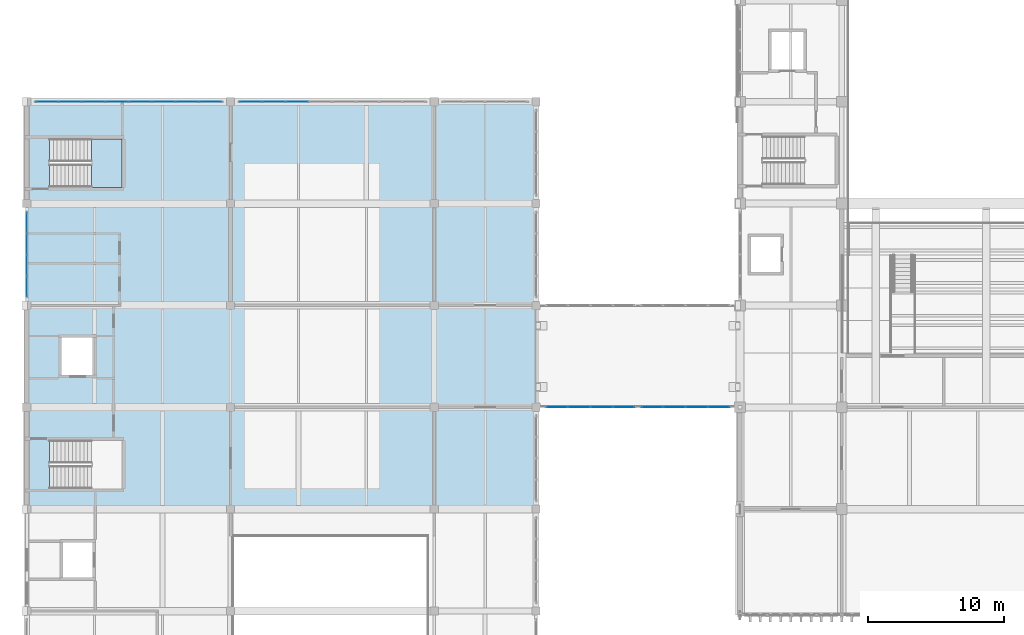
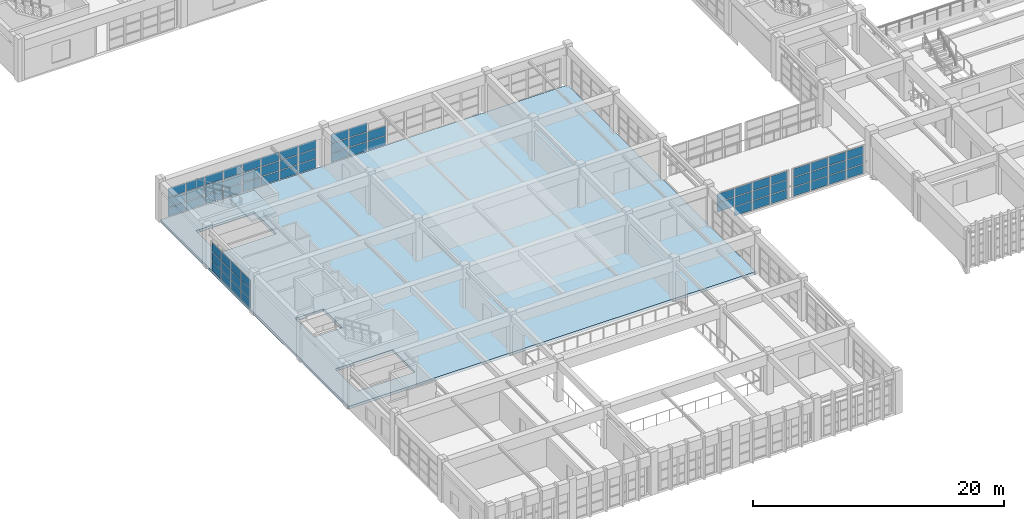
# One storey, part 78 of 124: 67 plates, 2 slabs, 7 elements without a shape of their own.
"""IFC4 building model written with IfcOpenShell, lengths in metres."""

from ifc_helpers import new_model, si_unit, direction, frame, origin, origin_2d, place, context, subcontext, project, spatial, polyline, rectangle, outline, extrude, material, layer, layer_set, type_object, element, aggregate, save


model = new_model("IFC4")

# Units and contexts
model_context = context("Model", 3, precision=1e-05, world=origin(), true_north=direction((0.0, 1.0)))
body_context = subcontext(model_context, "Body", "Model", "MODEL_VIEW")
ifc_project = project(units=[si_unit("LENGTHUNIT", "METRE"), si_unit("AREAUNIT", "SQUARE_METRE"), si_unit("VOLUMEUNIT", "CUBIC_METRE"), si_unit("PLANEANGLEUNIT", "RADIAN"), si_unit("MASSUNIT", "GRAM", prefix="KILO")], contexts=[model_context])

# Site, building, storey
site_placement = place(None, origin())
site = spatial("IfcSite", under=ifc_project, at=site_placement, CompositionType="ELEMENT")
building_placement = place(site_placement, origin())
building = spatial("IfcBuilding", under=site, at=building_placement, Name="Qasida Concert Hall", CompositionType="ELEMENT")
storey_placement = place(building_placement, frame((0.0, 0.0, 9.0)))
storey = spatial("IfcBuildingStorey", under=building, at=storey_placement, Name="L02", CompositionType="ELEMENT", Elevation=9.0)

# Curtain wall, plates
ifc_material_1 = material(Name="Architectural bronze-anodized aluminium and low-E glass", Category="aluminium")
curtain_wall_type = type_object("IfcCurtainWallType", Name="CW-08", PredefinedType="NOTDEFINED", material=ifc_material_1)
curtain_wall_1_placement = place(storey_placement, origin())
curtain_wall_1 = element("IfcCurtainWall", 1, at=curtain_wall_1_placement, inside=storey, type_object=curtain_wall_type, Name="L02 curtain wall CW-08 0100", PredefinedType="NOTDEFINED")
ifc_material_2 = material(Name="Solar-control low-E double glazing", Category="glass")
ifc_layer_1 = layer(ifc_material_2, 0.02392578125, Name="Solar-control low-E double glazing")
ifc_layer_set_1 = layer_set([ifc_layer_1], Name="Solar-control low-E double glazing")
plate_type = type_object("IfcPlateType", Name="PLT-CWP-5", PredefinedType="CURTAIN_PANEL", material=ifc_layer_set_1)
plate_1_placement = place(storey_placement, frame((1.4951171875, 52.5, 0.06005859375), z_axis=(0.0, 0.0, 1.0), x_axis=(1.0, 0.0, 0.0)))
plate_1 = element("IfcPlate", 2, at=plate_1_placement, type_object=plate_type, Name="CW-08 panel 1.1", PredefinedType="CURTAIN_PANEL", context=body_context, shape_type="SweptSolid", body=[
    extrude(rectangle(XDim=1.6201171875, YDim=0.02392578125, at=origin_2d()), origin(), (0.0, 0.0, 1.0), 0.86669921875),
])
plate_2_placement = place(storey_placement, frame((1.4951171875, 52.5, 0.98681640625), z_axis=(0.0, 0.0, 1.0), x_axis=(1.0, 0.0, 0.0)))
plate_2 = element("IfcPlate", 3, at=plate_2_placement, type_object=plate_type, Name="CW-08 panel 1.2", PredefinedType="CURTAIN_PANEL", context=body_context, shape_type="SweptSolid", body=[
    extrude(rectangle(XDim=1.6201171875, YDim=0.02392578125, at=origin_2d()), origin(), (0.0, 0.0, 1.0), 0.896484375),
])
plate_3_placement = place(storey_placement, frame((1.4951171875, 52.5, 1.943359375), z_axis=(0.0, 0.0, 1.0), x_axis=(1.0, 0.0, 0.0)))
plate_3 = element("IfcPlate", 4, at=plate_3_placement, type_object=plate_type, Name="CW-08 panel 1.3", PredefinedType="CURTAIN_PANEL", context=body_context, shape_type="SweptSolid", body=[
    extrude(rectangle(XDim=1.6201171875, YDim=0.02392578125, at=origin_2d()), origin(), (0.0, 0.0, 1.0), 0.86669921875),
])
plate_4_placement = place(storey_placement, frame((3.1962890625, 52.5, 0.06005859375), z_axis=(0.0, 0.0, 1.0), x_axis=(1.0, 0.0, 0.0)))
plate_4 = element("IfcPlate", 5, at=plate_4_placement, type_object=plate_type, Name="CW-08 panel 2.1", PredefinedType="CURTAIN_PANEL", context=body_context, shape_type="SweptSolid", body=[
    extrude(rectangle(XDim=1.652587890625, YDim=0.02392578125, at=origin_2d()), origin(), (0.0, 0.0, 1.0), 0.86669921875),
])
plate_5_placement = place(storey_placement, frame((3.1962890625, 52.5, 0.98681640625), z_axis=(0.0, 0.0, 1.0), x_axis=(1.0, 0.0, 0.0)))
plate_5 = element("IfcPlate", 6, at=plate_5_placement, type_object=plate_type, Name="CW-08 panel 2.2", PredefinedType="CURTAIN_PANEL", context=body_context, shape_type="SweptSolid", body=[
    extrude(rectangle(XDim=1.652587890625, YDim=0.02392578125, at=origin_2d()), origin(), (0.0, 0.0, 1.0), 0.896484375),
])
plate_6_placement = place(storey_placement, frame((3.1962890625, 52.5, 1.943359375), z_axis=(0.0, 0.0, 1.0), x_axis=(1.0, 0.0, 0.0)))
plate_6 = element("IfcPlate", 7, at=plate_6_placement, type_object=plate_type, Name="CW-08 panel 2.3", PredefinedType="CURTAIN_PANEL", context=body_context, shape_type="SweptSolid", body=[
    extrude(rectangle(XDim=1.652587890625, YDim=0.02392578125, at=origin_2d()), origin(), (0.0, 0.0, 1.0), 0.86669921875),
])
plate_7_placement = place(storey_placement, frame((4.913818359375, 52.5, 0.06005859375), z_axis=(0.0, 0.0, 1.0), x_axis=(1.0, 0.0, 0.0)))
plate_7 = element("IfcPlate", 8, at=plate_7_placement, type_object=plate_type, Name="CW-08 panel 3.1", PredefinedType="CURTAIN_PANEL", context=body_context, shape_type="SweptSolid", body=[
    extrude(rectangle(XDim=1.652587890625, YDim=0.02392578125, at=origin_2d()), origin(), (0.0, 0.0, 1.0), 0.86669921875),
])
plate_8_placement = place(storey_placement, frame((4.913818359375, 52.5, 0.98681640625), z_axis=(0.0, 0.0, 1.0), x_axis=(1.0, 0.0, 0.0)))
plate_8 = element("IfcPlate", 9, at=plate_8_placement, type_object=plate_type, Name="CW-08 panel 3.2", PredefinedType="CURTAIN_PANEL", context=body_context, shape_type="SweptSolid", body=[
    extrude(rectangle(XDim=1.652587890625, YDim=0.02392578125, at=origin_2d()), origin(), (0.0, 0.0, 1.0), 0.896484375),
])
plate_9_placement = place(storey_placement, frame((4.913818359375, 52.5, 1.943359375), z_axis=(0.0, 0.0, 1.0), x_axis=(1.0, 0.0, 0.0)))
plate_9 = element("IfcPlate", 10, at=plate_9_placement, type_object=plate_type, Name="CW-08 panel 3.3", PredefinedType="CURTAIN_PANEL", context=body_context, shape_type="SweptSolid", body=[
    extrude(rectangle(XDim=1.652587890625, YDim=0.02392578125, at=origin_2d()), origin(), (0.0, 0.0, 1.0), 0.86669921875),
])
plate_10_placement = place(storey_placement, frame((6.614990234375, 52.5, 0.06005859375), z_axis=(0.0, 0.0, 1.0), x_axis=(1.0, 0.0, 0.0)))
plate_10 = element("IfcPlate", 11, at=plate_10_placement, type_object=plate_type, Name="CW-08 panel 4.1", PredefinedType="CURTAIN_PANEL", context=body_context, shape_type="SweptSolid", body=[
    extrude(rectangle(XDim=1.6201171875, YDim=0.02392578125, at=origin_2d()), origin(), (0.0, 0.0, 1.0), 0.86669921875),
])
plate_11_placement = place(storey_placement, frame((6.614990234375, 52.5, 0.98681640625), z_axis=(0.0, 0.0, 1.0), x_axis=(1.0, 0.0, 0.0)))
plate_11 = element("IfcPlate", 12, at=plate_11_placement, type_object=plate_type, Name="CW-08 panel 4.2", PredefinedType="CURTAIN_PANEL", context=body_context, shape_type="SweptSolid", body=[
    extrude(rectangle(XDim=1.6201171875, YDim=0.02392578125, at=origin_2d()), origin(), (0.0, 0.0, 1.0), 0.896484375),
])
plate_12_placement = place(storey_placement, frame((6.614990234375, 52.5, 1.943359375), z_axis=(0.0, 0.0, 1.0), x_axis=(1.0, 0.0, 0.0)))
plate_12 = element("IfcPlate", 13, at=plate_12_placement, type_object=plate_type, Name="CW-08 panel 4.3", PredefinedType="CURTAIN_PANEL", context=body_context, shape_type="SweptSolid", body=[
    extrude(rectangle(XDim=1.6201171875, YDim=0.02392578125, at=origin_2d()), origin(), (0.0, 0.0, 1.0), 0.86669921875),
])
aggregate(curtain_wall_1, [plate_1, plate_2, plate_3, plate_4, plate_5, plate_6, plate_7, plate_8, plate_9, plate_10, plate_11, plate_12])

curtain_wall_2_placement = place(storey_placement, origin())
curtain_wall_2 = element("IfcCurtainWall", 14, at=curtain_wall_2_placement, inside=storey, type_object=curtain_wall_type, Name="L02 curtain wall CW-08 0102", PredefinedType="NOTDEFINED")
plate_13_placement = place(storey_placement, frame((8.385009765625, 52.5, 0.06005859375), z_axis=(0.0, 0.0, 1.0), x_axis=(1.0, 0.0, 0.0)))
plate_13 = element("IfcPlate", 15, at=plate_13_placement, type_object=plate_type, Name="CW-08 panel 1.1", PredefinedType="CURTAIN_PANEL", context=body_context, shape_type="SweptSolid", body=[
    extrude(rectangle(XDim=1.6201171875, YDim=0.02392578125, at=origin_2d()), origin(), (0.0, 0.0, 1.0), 0.86669921875),
])
plate_14_placement = place(storey_placement, frame((8.385009765625, 52.5, 0.98681640625), z_axis=(0.0, 0.0, 1.0), x_axis=(1.0, 0.0, 0.0)))
plate_14 = element("IfcPlate", 16, at=plate_14_placement, type_object=plate_type, Name="CW-08 panel 1.2", PredefinedType="CURTAIN_PANEL", context=body_context, shape_type="SweptSolid", body=[
    extrude(rectangle(XDim=1.6201171875, YDim=0.02392578125, at=origin_2d()), origin(), (0.0, 0.0, 1.0), 0.896484375),
])
plate_15_placement = place(storey_placement, frame((8.385009765625, 52.5, 1.943359375), z_axis=(0.0, 0.0, 1.0), x_axis=(1.0, 0.0, 0.0)))
plate_15 = element("IfcPlate", 17, at=plate_15_placement, type_object=plate_type, Name="CW-08 panel 1.3", PredefinedType="CURTAIN_PANEL", context=body_context, shape_type="SweptSolid", body=[
    extrude(rectangle(XDim=1.6201171875, YDim=0.02392578125, at=origin_2d()), origin(), (0.0, 0.0, 1.0), 0.86669921875),
])
plate_16_placement = place(storey_placement, frame((10.086181640625, 52.5, 0.06005859375), z_axis=(0.0, 0.0, 1.0), x_axis=(1.0, 0.0, 0.0)))
plate_16 = element("IfcPlate", 18, at=plate_16_placement, type_object=plate_type, Name="CW-08 panel 2.1", PredefinedType="CURTAIN_PANEL", context=body_context, shape_type="SweptSolid", body=[
    extrude(rectangle(XDim=1.652587890625, YDim=0.02392578125, at=origin_2d()), origin(), (0.0, 0.0, 1.0), 0.86669921875),
])
plate_17_placement = place(storey_placement, frame((10.086181640625, 52.5, 0.98681640625), z_axis=(0.0, 0.0, 1.0), x_axis=(1.0, 0.0, 0.0)))
plate_17 = element("IfcPlate", 19, at=plate_17_placement, type_object=plate_type, Name="CW-08 panel 2.2", PredefinedType="CURTAIN_PANEL", context=body_context, shape_type="SweptSolid", body=[
    extrude(rectangle(XDim=1.652587890625, YDim=0.02392578125, at=origin_2d()), origin(), (0.0, 0.0, 1.0), 0.896484375),
])
plate_18_placement = place(storey_placement, frame((10.086181640625, 52.5, 1.943359375), z_axis=(0.0, 0.0, 1.0), x_axis=(1.0, 0.0, 0.0)))
plate_18 = element("IfcPlate", 20, at=plate_18_placement, type_object=plate_type, Name="CW-08 panel 2.3", PredefinedType="CURTAIN_PANEL", context=body_context, shape_type="SweptSolid", body=[
    extrude(rectangle(XDim=1.652587890625, YDim=0.02392578125, at=origin_2d()), origin(), (0.0, 0.0, 1.0), 0.86669921875),
])
plate_19_placement = place(storey_placement, frame((11.8037109375, 52.5, 0.06005859375), z_axis=(0.0, 0.0, 1.0), x_axis=(1.0, 0.0, 0.0)))
plate_19 = element("IfcPlate", 21, at=plate_19_placement, type_object=plate_type, Name="CW-08 panel 3.1", PredefinedType="CURTAIN_PANEL", context=body_context, shape_type="SweptSolid", body=[
    extrude(rectangle(XDim=1.652587890625, YDim=0.02392578125, at=origin_2d()), origin(), (0.0, 0.0, 1.0), 0.86669921875),
])
plate_20_placement = place(storey_placement, frame((11.8037109375, 52.5, 0.98681640625), z_axis=(0.0, 0.0, 1.0), x_axis=(1.0, 0.0, 0.0)))
plate_20 = element("IfcPlate", 22, at=plate_20_placement, type_object=plate_type, Name="CW-08 panel 3.2", PredefinedType="CURTAIN_PANEL", context=body_context, shape_type="SweptSolid", body=[
    extrude(rectangle(XDim=1.652587890625, YDim=0.02392578125, at=origin_2d()), origin(), (0.0, 0.0, 1.0), 0.896484375),
])
plate_21_placement = place(storey_placement, frame((11.8037109375, 52.5, 1.943359375), z_axis=(0.0, 0.0, 1.0), x_axis=(1.0, 0.0, 0.0)))
plate_21 = element("IfcPlate", 23, at=plate_21_placement, type_object=plate_type, Name="CW-08 panel 3.3", PredefinedType="CURTAIN_PANEL", context=body_context, shape_type="SweptSolid", body=[
    extrude(rectangle(XDim=1.652587890625, YDim=0.02392578125, at=origin_2d()), origin(), (0.0, 0.0, 1.0), 0.86669921875),
])
plate_22_placement = place(storey_placement, frame((13.5048828125, 52.5, 0.06005859375), z_axis=(0.0, 0.0, 1.0), x_axis=(1.0, 0.0, 0.0)))
plate_22 = element("IfcPlate", 24, at=plate_22_placement, type_object=plate_type, Name="CW-08 panel 4.1", PredefinedType="CURTAIN_PANEL", context=body_context, shape_type="SweptSolid", body=[
    extrude(rectangle(XDim=1.6201171875, YDim=0.02392578125, at=origin_2d()), origin(), (0.0, 0.0, 1.0), 0.86669921875),
])
plate_23_placement = place(storey_placement, frame((13.5048828125, 52.5, 0.98681640625), z_axis=(0.0, 0.0, 1.0), x_axis=(1.0, 0.0, 0.0)))
plate_23 = element("IfcPlate", 25, at=plate_23_placement, type_object=plate_type, Name="CW-08 panel 4.2", PredefinedType="CURTAIN_PANEL", context=body_context, shape_type="SweptSolid", body=[
    extrude(rectangle(XDim=1.6201171875, YDim=0.02392578125, at=origin_2d()), origin(), (0.0, 0.0, 1.0), 0.896484375),
])
plate_24_placement = place(storey_placement, frame((13.5048828125, 52.5, 1.943359375), z_axis=(0.0, 0.0, 1.0), x_axis=(1.0, 0.0, 0.0)))
plate_24 = element("IfcPlate", 26, at=plate_24_placement, type_object=plate_type, Name="CW-08 panel 4.3", PredefinedType="CURTAIN_PANEL", context=body_context, shape_type="SweptSolid", body=[
    extrude(rectangle(XDim=1.6201171875, YDim=0.02392578125, at=origin_2d()), origin(), (0.0, 0.0, 1.0), 0.86669921875),
])
aggregate(curtain_wall_2, [plate_13, plate_14, plate_15, plate_16, plate_17, plate_18, plate_19, plate_20, plate_21, plate_22, plate_23, plate_24])

curtain_wall_3_placement = place(storey_placement, origin())
curtain_wall_3 = element("IfcCurtainWall", 27, at=curtain_wall_3_placement, inside=storey, type_object=curtain_wall_type, Name="L02 curtain wall CW-08 0104", PredefinedType="NOTDEFINED")
plate_25_placement = place(storey_placement, frame((16.4951171875, 52.5, 0.06005859375), z_axis=(0.0, 0.0, 1.0), x_axis=(1.0, 0.0, 0.0)))
plate_25 = element("IfcPlate", 28, at=plate_25_placement, type_object=plate_type, Name="CW-08 panel 1.1", PredefinedType="CURTAIN_PANEL", context=body_context, shape_type="SweptSolid", body=[
    extrude(rectangle(XDim=1.6201171875, YDim=0.02392578125, at=origin_2d()), origin(), (0.0, 0.0, 1.0), 0.86669921875),
])
plate_26_placement = place(storey_placement, frame((16.4951171875, 52.5, 0.98681640625), z_axis=(0.0, 0.0, 1.0), x_axis=(1.0, 0.0, 0.0)))
plate_26 = element("IfcPlate", 29, at=plate_26_placement, type_object=plate_type, Name="CW-08 panel 1.2", PredefinedType="CURTAIN_PANEL", context=body_context, shape_type="SweptSolid", body=[
    extrude(rectangle(XDim=1.6201171875, YDim=0.02392578125, at=origin_2d()), origin(), (0.0, 0.0, 1.0), 0.896484375),
])
plate_27_placement = place(storey_placement, frame((16.4951171875, 52.5, 1.943359375), z_axis=(0.0, 0.0, 1.0), x_axis=(1.0, 0.0, 0.0)))
plate_27 = element("IfcPlate", 30, at=plate_27_placement, type_object=plate_type, Name="CW-08 panel 1.3", PredefinedType="CURTAIN_PANEL", context=body_context, shape_type="SweptSolid", body=[
    extrude(rectangle(XDim=1.6201171875, YDim=0.02392578125, at=origin_2d()), origin(), (0.0, 0.0, 1.0), 0.86669921875),
])
plate_28_placement = place(storey_placement, frame((18.1962890625, 52.5, 0.06005859375), z_axis=(0.0, 0.0, 1.0), x_axis=(1.0, 0.0, 0.0)))
plate_28 = element("IfcPlate", 31, at=plate_28_placement, type_object=plate_type, Name="CW-08 panel 2.1", PredefinedType="CURTAIN_PANEL", context=body_context, shape_type="SweptSolid", body=[
    extrude(rectangle(XDim=1.652587890625, YDim=0.02392578125, at=origin_2d()), origin(), (0.0, 0.0, 1.0), 0.86669921875),
])
plate_29_placement = place(storey_placement, frame((18.1962890625, 52.5, 0.98681640625), z_axis=(0.0, 0.0, 1.0), x_axis=(1.0, 0.0, 0.0)))
plate_29 = element("IfcPlate", 32, at=plate_29_placement, type_object=plate_type, Name="CW-08 panel 2.2", PredefinedType="CURTAIN_PANEL", context=body_context, shape_type="SweptSolid", body=[
    extrude(rectangle(XDim=1.652587890625, YDim=0.02392578125, at=origin_2d()), origin(), (0.0, 0.0, 1.0), 0.896484375),
])
plate_30_placement = place(storey_placement, frame((18.1962890625, 52.5, 1.943359375), z_axis=(0.0, 0.0, 1.0), x_axis=(1.0, 0.0, 0.0)))
plate_30 = element("IfcPlate", 33, at=plate_30_placement, type_object=plate_type, Name="CW-08 panel 2.3", PredefinedType="CURTAIN_PANEL", context=body_context, shape_type="SweptSolid", body=[
    extrude(rectangle(XDim=1.652587890625, YDim=0.02392578125, at=origin_2d()), origin(), (0.0, 0.0, 1.0), 0.86669921875),
])
plate_31_placement = place(storey_placement, frame((19.913818359375, 52.5, 0.06005859375), z_axis=(0.0, 0.0, 1.0), x_axis=(1.0, 0.0, 0.0)))
plate_31 = element("IfcPlate", 34, at=plate_31_placement, type_object=plate_type, Name="CW-08 panel 3.1", PredefinedType="CURTAIN_PANEL", context=body_context, shape_type="SweptSolid", body=[
    extrude(rectangle(XDim=1.652587890625, YDim=0.02392578125, at=origin_2d()), origin(), (0.0, 0.0, 1.0), 0.86669921875),
])
plate_32_placement = place(storey_placement, frame((19.913818359375, 52.5, 0.98681640625), z_axis=(0.0, 0.0, 1.0), x_axis=(1.0, 0.0, 0.0)))
plate_32 = element("IfcPlate", 35, at=plate_32_placement, type_object=plate_type, Name="CW-08 panel 3.2", PredefinedType="CURTAIN_PANEL", context=body_context, shape_type="SweptSolid", body=[
    extrude(rectangle(XDim=1.652587890625, YDim=0.02392578125, at=origin_2d()), origin(), (0.0, 0.0, 1.0), 0.896484375),
])
aggregate(curtain_wall_3, [plate_25, plate_26, plate_27, plate_28, plate_29, plate_30, plate_31, plate_32])

curtain_wall_4_placement = place(storey_placement, origin())
curtain_wall_4 = element("IfcCurtainWall", 36, at=curtain_wall_4_placement, inside=storey, type_object=curtain_wall_type, Name="L02 curtain wall CW-08 0114", PredefinedType="NOTDEFINED")
plate_33_placement = place(storey_placement, frame((0.0, 38.918701171875, 0.06005859375), z_axis=(0.0, 0.0, 1.0), x_axis=(0.0, 1.0, 0.0)))
plate_33 = element("IfcPlate", 37, at=plate_33_placement, type_object=plate_type, Name="CW-08 panel 1.1", PredefinedType="CURTAIN_PANEL", context=body_context, shape_type="SweptSolid", body=[
    extrude(rectangle(XDim=1.467529296875, YDim=0.02392578125, at=origin_2d()), origin(), (0.0, 0.0, 1.0), 0.86669921875),
])
plate_34_placement = place(storey_placement, frame((0.0, 38.918701171875, 0.98681640625), z_axis=(0.0, 0.0, 1.0), x_axis=(0.0, 1.0, 0.0)))
plate_34 = element("IfcPlate", 38, at=plate_34_placement, type_object=plate_type, Name="CW-08 panel 1.2", PredefinedType="CURTAIN_PANEL", context=body_context, shape_type="SweptSolid", body=[
    extrude(rectangle(XDim=1.467529296875, YDim=0.02392578125, at=origin_2d()), origin(), (0.0, 0.0, 1.0), 0.896484375),
])
plate_35_placement = place(storey_placement, frame((0.0, 38.918701171875, 1.943359375), z_axis=(0.0, 0.0, 1.0), x_axis=(0.0, 1.0, 0.0)))
plate_35 = element("IfcPlate", 39, at=plate_35_placement, type_object=plate_type, Name="CW-08 panel 1.3", PredefinedType="CURTAIN_PANEL", context=body_context, shape_type="SweptSolid", body=[
    extrude(rectangle(XDim=1.467529296875, YDim=0.02392578125, at=origin_2d()), origin(), (0.0, 0.0, 1.0), 0.86669921875),
])
plate_36_placement = place(storey_placement, frame((0.0, 40.467529296875, 0.06005859375), z_axis=(0.0, 0.0, 1.0), x_axis=(0.0, 1.0, 0.0)))
plate_36 = element("IfcPlate", 40, at=plate_36_placement, type_object=plate_type, Name="CW-08 panel 2.1", PredefinedType="CURTAIN_PANEL", context=body_context, shape_type="SweptSolid", body=[
    extrude(rectangle(XDim=1.5, YDim=0.02392578125, at=origin_2d()), origin(), (0.0, 0.0, 1.0), 0.86669921875),
])
plate_37_placement = place(storey_placement, frame((0.0, 40.467529296875, 0.98681640625), z_axis=(0.0, 0.0, 1.0), x_axis=(0.0, 1.0, 0.0)))
plate_37 = element("IfcPlate", 41, at=plate_37_placement, type_object=plate_type, Name="CW-08 panel 2.2", PredefinedType="CURTAIN_PANEL", context=body_context, shape_type="SweptSolid", body=[
    extrude(rectangle(XDim=1.5, YDim=0.02392578125, at=origin_2d()), origin(), (0.0, 0.0, 1.0), 0.896484375),
])
plate_38_placement = place(storey_placement, frame((0.0, 40.467529296875, 1.943359375), z_axis=(0.0, 0.0, 1.0), x_axis=(0.0, 1.0, 0.0)))
plate_38 = element("IfcPlate", 42, at=plate_38_placement, type_object=plate_type, Name="CW-08 panel 2.3", PredefinedType="CURTAIN_PANEL", context=body_context, shape_type="SweptSolid", body=[
    extrude(rectangle(XDim=1.5, YDim=0.02392578125, at=origin_2d()), origin(), (0.0, 0.0, 1.0), 0.86669921875),
])
plate_39_placement = place(storey_placement, frame((0.0, 42.032470703125, 0.06005859375), z_axis=(0.0, 0.0, 1.0), x_axis=(0.0, 1.0, 0.0)))
plate_39 = element("IfcPlate", 43, at=plate_39_placement, type_object=plate_type, Name="CW-08 panel 3.1", PredefinedType="CURTAIN_PANEL", context=body_context, shape_type="SweptSolid", body=[
    extrude(rectangle(XDim=1.5, YDim=0.02392578125, at=origin_2d()), origin(), (0.0, 0.0, 1.0), 0.86669921875),
])
plate_40_placement = place(storey_placement, frame((0.0, 42.032470703125, 0.98681640625), z_axis=(0.0, 0.0, 1.0), x_axis=(0.0, 1.0, 0.0)))
plate_40 = element("IfcPlate", 44, at=plate_40_placement, type_object=plate_type, Name="CW-08 panel 3.2", PredefinedType="CURTAIN_PANEL", context=body_context, shape_type="SweptSolid", body=[
    extrude(rectangle(XDim=1.5, YDim=0.02392578125, at=origin_2d()), origin(), (0.0, 0.0, 1.0), 0.896484375),
])
plate_41_placement = place(storey_placement, frame((0.0, 42.032470703125, 1.943359375), z_axis=(0.0, 0.0, 1.0), x_axis=(0.0, 1.0, 0.0)))
plate_41 = element("IfcPlate", 45, at=plate_41_placement, type_object=plate_type, Name="CW-08 panel 3.3", PredefinedType="CURTAIN_PANEL", context=body_context, shape_type="SweptSolid", body=[
    extrude(rectangle(XDim=1.5, YDim=0.02392578125, at=origin_2d()), origin(), (0.0, 0.0, 1.0), 0.86669921875),
])
plate_42_placement = place(storey_placement, frame((0.0, 43.581298828125, 0.06005859375), z_axis=(0.0, 0.0, 1.0), x_axis=(0.0, 1.0, 0.0)))
plate_42 = element("IfcPlate", 46, at=plate_42_placement, type_object=plate_type, Name="CW-08 panel 4.1", PredefinedType="CURTAIN_PANEL", context=body_context, shape_type="SweptSolid", body=[
    extrude(rectangle(XDim=1.467529296875, YDim=0.02392578125, at=origin_2d()), origin(), (0.0, 0.0, 1.0), 0.86669921875),
])
plate_43_placement = place(storey_placement, frame((0.0, 43.581298828125, 0.98681640625), z_axis=(0.0, 0.0, 1.0), x_axis=(0.0, 1.0, 0.0)))
plate_43 = element("IfcPlate", 47, at=plate_43_placement, type_object=plate_type, Name="CW-08 panel 4.2", PredefinedType="CURTAIN_PANEL", context=body_context, shape_type="SweptSolid", body=[
    extrude(rectangle(XDim=1.467529296875, YDim=0.02392578125, at=origin_2d()), origin(), (0.0, 0.0, 1.0), 0.896484375),
])
plate_44_placement = place(storey_placement, frame((0.0, 43.581298828125, 1.943359375), z_axis=(0.0, 0.0, 1.0), x_axis=(0.0, 1.0, 0.0)))
plate_44 = element("IfcPlate", 48, at=plate_44_placement, type_object=plate_type, Name="CW-08 panel 4.3", PredefinedType="CURTAIN_PANEL", context=body_context, shape_type="SweptSolid", body=[
    extrude(rectangle(XDim=1.467529296875, YDim=0.02392578125, at=origin_2d()), origin(), (0.0, 0.0, 1.0), 0.86669921875),
])
aggregate(curtain_wall_4, [plate_33, plate_34, plate_35, plate_36, plate_37, plate_38, plate_39, plate_40, plate_41, plate_42, plate_43, plate_44])

curtain_wall_5_placement = place(storey_placement, origin())
curtain_wall_5 = element("IfcCurtainWall", 49, at=curtain_wall_5_placement, inside=storey, type_object=curtain_wall_type, Name="L02 link bridge glazing 0202", PredefinedType="NOTDEFINED")
plate_45_placement = place(storey_placement, frame((39.041259765625, 30.0, 0.97998046875), z_axis=(0.0, 0.0, 1.0), x_axis=(1.0, 0.0, 0.0)))
plate_45 = element("IfcPlate", 50, at=plate_45_placement, type_object=plate_type, Name="CW-08 panel 1.2", PredefinedType="CURTAIN_PANEL", context=body_context, shape_type="SweptSolid", body=[
    extrude(rectangle(XDim=1.552490234375, YDim=0.02392578125, at=origin_2d()), origin(), (0.0, 0.0, 1.0), 0.889892578125),
])
plate_46_placement = place(storey_placement, frame((39.041259765625, 30.0, 1.929931640625), z_axis=(0.0, 0.0, 1.0), x_axis=(1.0, 0.0, 0.0)))
plate_46 = element("IfcPlate", 51, at=plate_46_placement, type_object=plate_type, Name="CW-08 panel 1.3", PredefinedType="CURTAIN_PANEL", context=body_context, shape_type="SweptSolid", body=[
    extrude(rectangle(XDim=1.552490234375, YDim=0.02392578125, at=origin_2d()), origin(), (0.0, 0.0, 1.0), 0.81005859375),
])
plate_47_placement = place(storey_placement, frame((40.675048828125, 30.0, 0.06005859375), z_axis=(0.0, 0.0, 1.0), x_axis=(1.0, 0.0, 0.0)))
plate_47 = element("IfcPlate", 52, at=plate_47_placement, type_object=plate_type, Name="CW-08 panel 2.1", PredefinedType="CURTAIN_PANEL", context=body_context, shape_type="SweptSolid", body=[
    extrude(rectangle(XDim=1.5849609375, YDim=0.02392578125, at=origin_2d()), origin(), (0.0, 0.0, 1.0), 0.860107421875),
])
plate_48_placement = place(storey_placement, frame((40.675048828125, 30.0, 0.97998046875), z_axis=(0.0, 0.0, 1.0), x_axis=(1.0, 0.0, 0.0)))
plate_48 = element("IfcPlate", 53, at=plate_48_placement, type_object=plate_type, Name="CW-08 panel 2.2", PredefinedType="CURTAIN_PANEL", context=body_context, shape_type="SweptSolid", body=[
    extrude(rectangle(XDim=1.5849609375, YDim=0.02392578125, at=origin_2d()), origin(), (0.0, 0.0, 1.0), 0.889892578125),
])
plate_49_placement = place(storey_placement, frame((40.675048828125, 30.0, 1.929931640625), z_axis=(0.0, 0.0, 1.0), x_axis=(1.0, 0.0, 0.0)))
plate_49 = element("IfcPlate", 54, at=plate_49_placement, type_object=plate_type, Name="CW-08 panel 2.3", PredefinedType="CURTAIN_PANEL", context=body_context, shape_type="SweptSolid", body=[
    extrude(rectangle(XDim=1.5849609375, YDim=0.02392578125, at=origin_2d()), origin(), (0.0, 0.0, 1.0), 0.81005859375),
])
plate_50_placement = place(storey_placement, frame((42.324951171875, 30.0, 0.06005859375), z_axis=(0.0, 0.0, 1.0), x_axis=(1.0, 0.0, 0.0)))
plate_50 = element("IfcPlate", 55, at=plate_50_placement, type_object=plate_type, Name="CW-08 panel 3.1", PredefinedType="CURTAIN_PANEL", context=body_context, shape_type="SweptSolid", body=[
    extrude(rectangle(XDim=1.5849609375, YDim=0.02392578125, at=origin_2d()), origin(), (0.0, 0.0, 1.0), 0.860107421875),
])
plate_51_placement = place(storey_placement, frame((42.324951171875, 30.0, 0.97998046875), z_axis=(0.0, 0.0, 1.0), x_axis=(1.0, 0.0, 0.0)))
plate_51 = element("IfcPlate", 56, at=plate_51_placement, type_object=plate_type, Name="CW-08 panel 3.2", PredefinedType="CURTAIN_PANEL", context=body_context, shape_type="SweptSolid", body=[
    extrude(rectangle(XDim=1.5849609375, YDim=0.02392578125, at=origin_2d()), origin(), (0.0, 0.0, 1.0), 0.889892578125),
])
plate_52_placement = place(storey_placement, frame((42.324951171875, 30.0, 1.929931640625), z_axis=(0.0, 0.0, 1.0), x_axis=(1.0, 0.0, 0.0)))
plate_52 = element("IfcPlate", 57, at=plate_52_placement, type_object=plate_type, Name="CW-08 panel 3.3", PredefinedType="CURTAIN_PANEL", context=body_context, shape_type="SweptSolid", body=[
    extrude(rectangle(XDim=1.5849609375, YDim=0.02392578125, at=origin_2d()), origin(), (0.0, 0.0, 1.0), 0.81005859375),
])
plate_53_placement = place(storey_placement, frame((43.958740234375, 30.0, 0.06005859375), z_axis=(0.0, 0.0, 1.0), x_axis=(1.0, 0.0, 0.0)))
plate_53 = element("IfcPlate", 58, at=plate_53_placement, type_object=plate_type, Name="CW-08 panel 4.1", PredefinedType="CURTAIN_PANEL", context=body_context, shape_type="SweptSolid", body=[
    extrude(rectangle(XDim=1.552490234375, YDim=0.02392578125, at=origin_2d()), origin(), (0.0, 0.0, 1.0), 0.860107421875),
])
plate_54_placement = place(storey_placement, frame((43.958740234375, 30.0, 0.97998046875), z_axis=(0.0, 0.0, 1.0), x_axis=(1.0, 0.0, 0.0)))
plate_54 = element("IfcPlate", 59, at=plate_54_placement, type_object=plate_type, Name="CW-08 panel 4.2", PredefinedType="CURTAIN_PANEL", context=body_context, shape_type="SweptSolid", body=[
    extrude(rectangle(XDim=1.552490234375, YDim=0.02392578125, at=origin_2d()), origin(), (0.0, 0.0, 1.0), 0.889892578125),
])
plate_55_placement = place(storey_placement, frame((43.958740234375, 30.0, 1.929931640625), z_axis=(0.0, 0.0, 1.0), x_axis=(1.0, 0.0, 0.0)))
plate_55 = element("IfcPlate", 60, at=plate_55_placement, type_object=plate_type, Name="CW-08 panel 4.3", PredefinedType="CURTAIN_PANEL", context=body_context, shape_type="SweptSolid", body=[
    extrude(rectangle(XDim=1.552490234375, YDim=0.02392578125, at=origin_2d()), origin(), (0.0, 0.0, 1.0), 0.81005859375),
])
aggregate(curtain_wall_5, [plate_45, plate_46, plate_47, plate_48, plate_49, plate_50, plate_51, plate_52, plate_53, plate_54, plate_55])

curtain_wall_6_placement = place(storey_placement, origin())
curtain_wall_6 = element("IfcCurtainWall", 61, at=curtain_wall_6_placement, inside=storey, type_object=curtain_wall_type, Name="L02 link bridge glazing 0204", PredefinedType="NOTDEFINED")
plate_56_placement = place(storey_placement, frame((46.041259765625, 30.0, 0.06005859375), z_axis=(0.0, 0.0, 1.0), x_axis=(1.0, 0.0, 0.0)))
plate_56 = element("IfcPlate", 62, at=plate_56_placement, type_object=plate_type, Name="CW-08 panel 1.1", PredefinedType="CURTAIN_PANEL", context=body_context, shape_type="SweptSolid", body=[
    extrude(rectangle(XDim=1.552490234375, YDim=0.02392578125, at=origin_2d()), origin(), (0.0, 0.0, 1.0), 0.860107421875),
])
plate_57_placement = place(storey_placement, frame((46.041259765625, 30.0, 0.97998046875), z_axis=(0.0, 0.0, 1.0), x_axis=(1.0, 0.0, 0.0)))
plate_57 = element("IfcPlate", 63, at=plate_57_placement, type_object=plate_type, Name="CW-08 panel 1.2", PredefinedType="CURTAIN_PANEL", context=body_context, shape_type="SweptSolid", body=[
    extrude(rectangle(XDim=1.552490234375, YDim=0.02392578125, at=origin_2d()), origin(), (0.0, 0.0, 1.0), 0.889892578125),
])
plate_58_placement = place(storey_placement, frame((46.041259765625, 30.0, 1.929931640625), z_axis=(0.0, 0.0, 1.0), x_axis=(1.0, 0.0, 0.0)))
plate_58 = element("IfcPlate", 64, at=plate_58_placement, type_object=plate_type, Name="CW-08 panel 1.3", PredefinedType="CURTAIN_PANEL", context=body_context, shape_type="SweptSolid", body=[
    extrude(rectangle(XDim=1.552490234375, YDim=0.02392578125, at=origin_2d()), origin(), (0.0, 0.0, 1.0), 0.81005859375),
])
plate_59_placement = place(storey_placement, frame((47.675048828125, 30.0, 0.06005859375), z_axis=(0.0, 0.0, 1.0), x_axis=(1.0, 0.0, 0.0)))
plate_59 = element("IfcPlate", 65, at=plate_59_placement, type_object=plate_type, Name="CW-08 panel 2.1", PredefinedType="CURTAIN_PANEL", context=body_context, shape_type="SweptSolid", body=[
    extrude(rectangle(XDim=1.5849609375, YDim=0.02392578125, at=origin_2d()), origin(), (0.0, 0.0, 1.0), 0.860107421875),
])
plate_60_placement = place(storey_placement, frame((47.675048828125, 30.0, 0.97998046875), z_axis=(0.0, 0.0, 1.0), x_axis=(1.0, 0.0, 0.0)))
plate_60 = element("IfcPlate", 66, at=plate_60_placement, type_object=plate_type, Name="CW-08 panel 2.2", PredefinedType="CURTAIN_PANEL", context=body_context, shape_type="SweptSolid", body=[
    extrude(rectangle(XDim=1.5849609375, YDim=0.02392578125, at=origin_2d()), origin(), (0.0, 0.0, 1.0), 0.889892578125),
])
plate_61_placement = place(storey_placement, frame((47.675048828125, 30.0, 1.929931640625), z_axis=(0.0, 0.0, 1.0), x_axis=(1.0, 0.0, 0.0)))
plate_61 = element("IfcPlate", 67, at=plate_61_placement, type_object=plate_type, Name="CW-08 panel 2.3", PredefinedType="CURTAIN_PANEL", context=body_context, shape_type="SweptSolid", body=[
    extrude(rectangle(XDim=1.5849609375, YDim=0.02392578125, at=origin_2d()), origin(), (0.0, 0.0, 1.0), 0.81005859375),
])
plate_62_placement = place(storey_placement, frame((49.324951171875, 30.0, 0.06005859375), z_axis=(0.0, 0.0, 1.0), x_axis=(1.0, 0.0, 0.0)))
plate_62 = element("IfcPlate", 68, at=plate_62_placement, type_object=plate_type, Name="CW-08 panel 3.1", PredefinedType="CURTAIN_PANEL", context=body_context, shape_type="SweptSolid", body=[
    extrude(rectangle(XDim=1.5849609375, YDim=0.02392578125, at=origin_2d()), origin(), (0.0, 0.0, 1.0), 0.860107421875),
])
plate_63_placement = place(storey_placement, frame((49.324951171875, 30.0, 0.97998046875), z_axis=(0.0, 0.0, 1.0), x_axis=(1.0, 0.0, 0.0)))
plate_63 = element("IfcPlate", 69, at=plate_63_placement, type_object=plate_type, Name="CW-08 panel 3.2", PredefinedType="CURTAIN_PANEL", context=body_context, shape_type="SweptSolid", body=[
    extrude(rectangle(XDim=1.5849609375, YDim=0.02392578125, at=origin_2d()), origin(), (0.0, 0.0, 1.0), 0.889892578125),
])
plate_64_placement = place(storey_placement, frame((49.324951171875, 30.0, 1.929931640625), z_axis=(0.0, 0.0, 1.0), x_axis=(1.0, 0.0, 0.0)))
plate_64 = element("IfcPlate", 70, at=plate_64_placement, type_object=plate_type, Name="CW-08 panel 3.3", PredefinedType="CURTAIN_PANEL", context=body_context, shape_type="SweptSolid", body=[
    extrude(rectangle(XDim=1.5849609375, YDim=0.02392578125, at=origin_2d()), origin(), (0.0, 0.0, 1.0), 0.81005859375),
])
plate_65_placement = place(storey_placement, frame((50.958740234375, 30.0, 0.06005859375), z_axis=(0.0, 0.0, 1.0), x_axis=(1.0, 0.0, 0.0)))
plate_65 = element("IfcPlate", 71, at=plate_65_placement, type_object=plate_type, Name="CW-08 panel 4.1", PredefinedType="CURTAIN_PANEL", context=body_context, shape_type="SweptSolid", body=[
    extrude(rectangle(XDim=1.552490234375, YDim=0.02392578125, at=origin_2d()), origin(), (0.0, 0.0, 1.0), 0.860107421875),
])
plate_66_placement = place(storey_placement, frame((50.958740234375, 30.0, 0.97998046875), z_axis=(0.0, 0.0, 1.0), x_axis=(1.0, 0.0, 0.0)))
plate_66 = element("IfcPlate", 72, at=plate_66_placement, type_object=plate_type, Name="CW-08 panel 4.2", PredefinedType="CURTAIN_PANEL", context=body_context, shape_type="SweptSolid", body=[
    extrude(rectangle(XDim=1.552490234375, YDim=0.02392578125, at=origin_2d()), origin(), (0.0, 0.0, 1.0), 0.889892578125),
])
plate_67_placement = place(storey_placement, frame((50.958740234375, 30.0, 1.929931640625), z_axis=(0.0, 0.0, 1.0), x_axis=(1.0, 0.0, 0.0)))
plate_67 = element("IfcPlate", 73, at=plate_67_placement, type_object=plate_type, Name="CW-08 panel 4.3", PredefinedType="CURTAIN_PANEL", context=body_context, shape_type="SweptSolid", body=[
    extrude(rectangle(XDim=1.552490234375, YDim=0.02392578125, at=origin_2d()), origin(), (0.0, 0.0, 1.0), 0.81005859375),
])
aggregate(curtain_wall_6, [plate_56, plate_57, plate_58, plate_59, plate_60, plate_61, plate_62, plate_63, plate_64, plate_65, plate_66, plate_67])

# Slab
ifc_material_3 = material(Name="Concrete C40/50", Category="concrete")
ifc_layer_2 = layer(ifc_material_3, 0.260009765625, Name="Concrete C40/50")
ifc_layer_set_2 = layer_set([ifc_layer_2], Name="Concrete C40/50")
slab_type_1 = type_object("IfcSlabType", Name="SL-FS-260", PredefinedType="FLOOR", material=ifc_layer_set_2)
slab_1_placement = place(storey_placement, frame((0.0, 0.0, -0.260009765625)))
element("IfcSlab", 74, at=slab_1_placement, inside=storey, type_object=slab_type_1, Name="V3 education rooms north (FS-260)", PredefinedType="FLOOR", context=body_context, shape_type="SweptSolid", body=[
    extrude(outline(polyline([(0.0, 22.5), (37.5, 22.5), (37.5, 52.5), (0.0, 52.5), (0.0, 22.5)]), holes=[polyline([(1.68994140625, 24.0), (7.02001953125, 24.0), (7.02001953125, 27.56005859375), (1.68994140625, 27.56005859375), (1.68994140625, 24.0)]), polyline([(2.449951171875, 32.25), (5.050048828125, 32.25), (5.050048828125, 35.25), (2.449951171875, 35.25), (2.449951171875, 32.25)]), polyline([(1.68994140625, 46.199951171875), (7.02001953125, 46.199951171875), (7.02001953125, 49.760009765625), (1.68994140625, 49.760009765625), (1.68994140625, 46.199951171875)])]), origin(), (0.0, 0.0, 1.0), 0.260009765625),
])

# Stair, slab
stair_type = type_object("IfcStairType", Name="ST-DL-168", PredefinedType="HALF_TURN_STAIR", material=ifc_material_3)
stair_placement = place(storey_placement, origin())
stair = element("IfcStair", 75, at=stair_placement, inside=storey, type_object=stair_type, Name="L02 Exit stair ST-04", PredefinedType="HALF_TURN_STAIR")
ifc_layer_3 = layer(ifc_material_3, 0.199951171875, Name="Concrete C40/50")
ifc_layer_set_3 = layer_set([ifc_layer_3], Name="Concrete C40/50")
slab_type_2 = type_object("IfcSlabType", Name="SL-LND-200", PredefinedType="LANDING", material=ifc_layer_set_3)
slab_2_placement = place(storey_placement, frame((0.0, 0.0, 1.89990234375)))
slab_2 = element("IfcSlab", 76, at=slab_2_placement, type_object=slab_type_2, Name="ST-04 landing 1", PredefinedType="LANDING", context=body_context, shape_type="SweptSolid", body=[
    extrude(outline(polyline([(4.760009765625, 46.199951171875), (7.02001953125, 46.199951171875), (7.02001953125, 49.760009765625), (4.760009765625, 49.760009765625), (4.760009765625, 46.199951171875)])), origin(), (0.0, 0.0, 1.0), 0.2001953125),
])
aggregate(stair, [slab_2])

save(model, "model.ifc")
